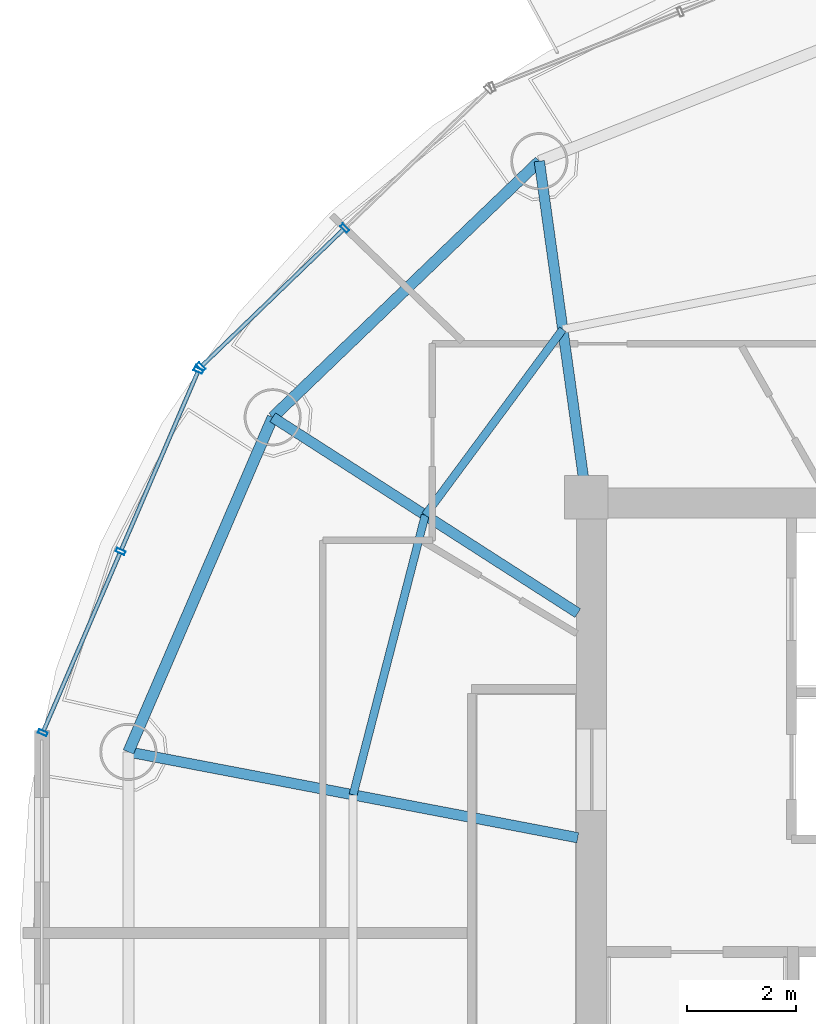
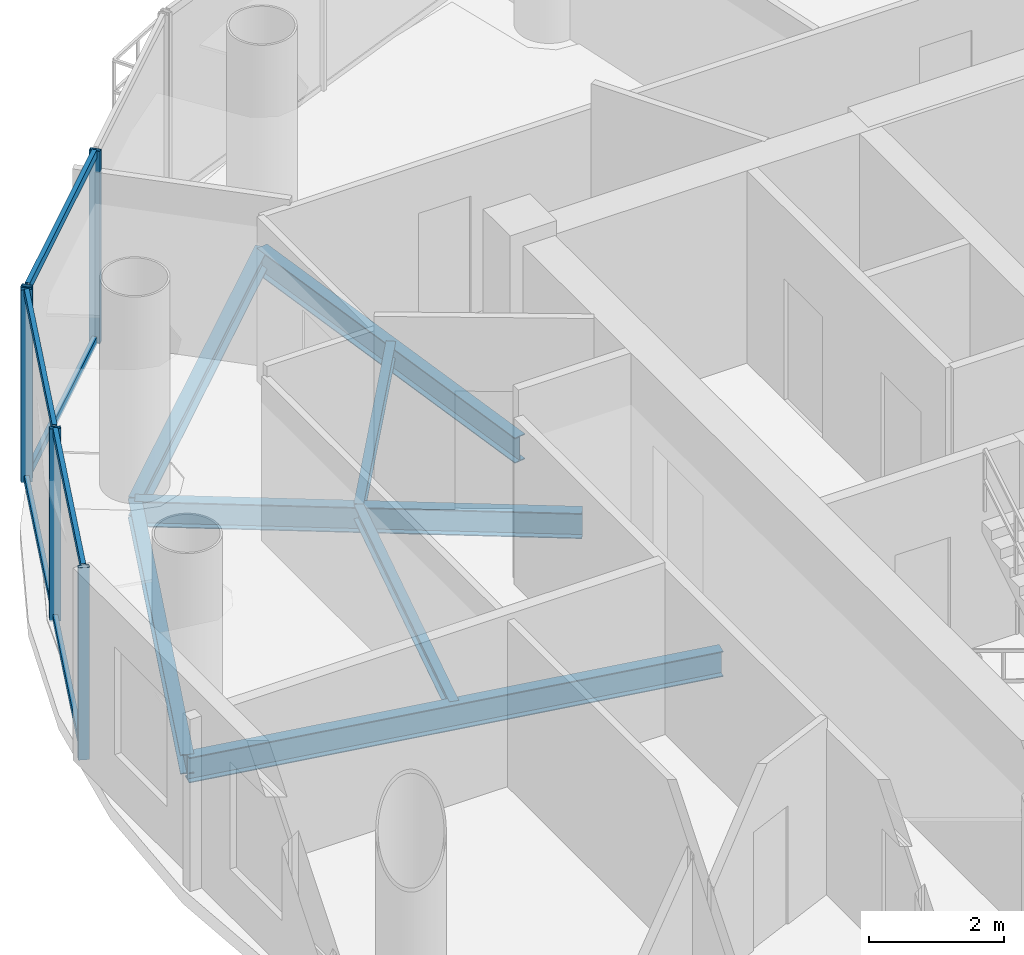
# One storey, part 8 of 23: 11 members, 7 beams, 2 elements without a shape of their own.
"""IFC4 building model written with IfcOpenShell, lengths in metres."""

from ifc_helpers import new_model, si_unit, direction, frame, origin, origin_2d, place, context, subcontext, project, spatial, hollow_rectangle, i_section, extrude, source, transform, mapped, material, material_profile, profile_set, type_object, element, aggregate, save


model = new_model("IFC4")

# Units and contexts
model_context = context("Model", 3, precision=1e-05, world=origin(), true_north=direction((-0.2419218956, 0.970295726276)))
body_context = subcontext(model_context, "Body", "Model", "MODEL_VIEW")
ifc_project = project(units=[si_unit("LENGTHUNIT", "METRE"), si_unit("AREAUNIT", "SQUARE_METRE"), si_unit("VOLUMEUNIT", "CUBIC_METRE"), si_unit("PLANEANGLEUNIT", "RADIAN"), si_unit("MASSUNIT", "GRAM", prefix="KILO")], contexts=[model_context])

# Site, building, storey
site_placement = place(None, origin())
site = spatial("IfcSite", under=ifc_project, at=site_placement, CompositionType="ELEMENT")
building_placement = place(site_placement, origin())
building = spatial("IfcBuilding", under=site, at=building_placement, Name="Cobrevalo Terracotta Tower", CompositionType="ELEMENT")
storey_placement = place(building_placement, frame((0.0, 0.0, 263.199951171875)))
storey = spatial("IfcBuildingStorey", under=building, at=storey_placement, Name="L69", CompositionType="ELEMENT", Elevation=263.199951171875)

# Beams
ifc_material_1 = material(Name="Steel S355", Category="steel")
ifc_material_profile_1 = material_profile(ifc_material_1, i_section(OverallWidth=0.19091796875, OverallDepth=0.4599609375, WebThickness=0.010009765625, FlangeThickness=0.01611328125, at=origin_2d()), Name="W 460x82")
ifc_profile_set_1 = profile_set([ifc_material_profile_1], Name="Steel S355")
beam_type_1 = type_object("IfcBeamType", Name="Structural Beam W 460x82 (Steel S355)", PredefinedType="BEAM", material=ifc_profile_set_1)
beam_1_placement = place(storey_placement, frame((28.138671875, 40.9765625, -0.489990234375), z_axis=(0.138115657759, -0.990416107039, 0.0), x_axis=(0.990416107039, 0.138115657759, 0.0)))
element("IfcBeam", 1, at=beam_1_placement, inside=storey, type_object=beam_type_1, Name="L69 radial floor girder 06", PredefinedType="BEAM", context=body_context, shape_type="SweptSolid", body=[
    extrude(i_section(OverallWidth=0.19091796875, OverallDepth=0.4599609375, WebThickness=0.010009765625, FlangeThickness=0.01611328125, at=origin_2d()), origin(), (0.0, 0.0, 1.0), 6.236328125),
])
beam_2_placement = place(storey_placement, frame((23.241455078125, 36.2724609375, -0.489990234375), z_axis=(0.84157615512, -0.540138477739, 0.0), x_axis=(0.540138477739, 0.84157615512, 0.0)))
element("IfcBeam", 2, at=beam_2_placement, inside=storey, type_object=beam_type_1, Name="L69 radial floor girder 07", PredefinedType="BEAM", context=body_context, shape_type="SweptSolid", body=[
    extrude(i_section(OverallWidth=0.19091796875, OverallDepth=0.4599609375, WebThickness=0.010009765625, FlangeThickness=0.01611328125, at=origin_2d()), origin(), (0.0, 0.0, 1.0), 6.658447265625),
])
beam_3_placement = place(storey_placement, frame((20.591064453125, 30.126220703125, -0.489990234375), z_axis=(0.982234917636, -0.187655446433, 0.0), x_axis=(0.187655446433, 0.982234917636, 0.0)))
element("IfcBeam", 3, at=beam_3_placement, inside=storey, type_object=beam_type_1, Name="L69 radial floor girder 08", PredefinedType="BEAM", context=body_context, shape_type="SweptSolid", body=[
    extrude(i_section(OverallWidth=0.19091796875, OverallDepth=0.4599609375, WebThickness=0.010009765625, FlangeThickness=0.01611328125, at=origin_2d()), origin(), (0.0, 0.0, 1.0), 8.403076171875),
])
ifc_material_profile_2 = material_profile(ifc_material_1, i_section(OverallWidth=0.14794921875, OverallDepth=0.26611328125, WebThickness=0.007568359375, FlangeThickness=0.012939453125, at=origin_2d()), Name="W 250x44.8")
ifc_profile_set_2 = profile_set([ifc_material_profile_2], Name="Steel S355")
beam_type_2 = type_object("IfcBeamType", Name="Structural Joist W 250x44.8 (Steel S355)", PredefinedType="JOIST", material=ifc_profile_set_2)
beam_4_placement = place(storey_placement, frame((28.5693359375, 37.88818359375, -0.39306640625), z_axis=(-0.594799916617, -0.803873783123, 0.0), x_axis=(0.803873783123, -0.594799916617, 0.0)))
element("IfcBeam", 4, at=beam_4_placement, inside=storey, type_object=beam_type_2, Name="L69 circumferential secondary floor joist 06", PredefinedType="JOIST", context=body_context, shape_type="SweptSolid", body=[
    extrude(i_section(OverallWidth=0.14794921875, OverallDepth=0.26611328125, WebThickness=0.007568359375, FlangeThickness=0.012939453125, at=origin_2d()), origin(), (0.0, 0.0, 1.0), 4.2470703125),
])
beam_5_placement = place(storey_placement, frame((26.043212890625, 34.47412109375, -0.39306640625), z_axis=(-0.249816773293, -0.968293126993, 0.0), x_axis=(0.968293126993, -0.249816773293, 0.0)))
element("IfcBeam", 5, at=beam_5_placement, inside=storey, type_object=beam_type_2, Name="L69 circumferential secondary floor joist 07", PredefinedType="JOIST", context=body_context, shape_type="SweptSolid", body=[
    extrude(i_section(OverallWidth=0.14794921875, OverallDepth=0.26611328125, WebThickness=0.007568359375, FlangeThickness=0.012939453125, at=origin_2d()), origin(), (0.0, 0.0, 1.0), 5.3046875),
])
ifc_material_profile_3 = material_profile(ifc_material_1, i_section(OverallWidth=0.205078125, OverallDepth=0.35400390625, WebThickness=0.009521484375, FlangeThickness=0.016845703125, at=origin_2d()), Name="W 360x79")
ifc_profile_set_3 = profile_set([ifc_material_profile_3], Name="Steel S355")
beam_type_3 = type_object("IfcBeamType", Name="Structural Spandrel W 360x79 (Steel S355)", PredefinedType="SPANDREL", material=ifc_profile_set_3)
beam_6_placement = place(storey_placement, frame((28.138671875, 40.9765625, -0.43701171875), z_axis=(-0.721183246144, -0.692744343522, 0.0), x_axis=(0.692744343522, -0.721183246144, 0.0)))
element("IfcBeam", 6, at=beam_6_placement, inside=storey, type_object=beam_type_3, Name="L69 perimeter ring spandrel 06", PredefinedType="SPANDREL", context=body_context, shape_type="SweptSolid", body=[
    extrude(i_section(OverallWidth=0.205078125, OverallDepth=0.35400390625, WebThickness=0.009521484375, FlangeThickness=0.016845703125, at=origin_2d()), origin(), (0.0, 0.0, 1.0), 6.79052734375),
])
beam_7_placement = place(storey_placement, frame((23.241455078125, 36.2724609375, -0.43701171875), z_axis=(-0.395974127655, -0.918261667624, 0.0), x_axis=(0.918261667624, -0.395974127655, 0.0)))
element("IfcBeam", 7, at=beam_7_placement, inside=storey, type_object=beam_type_3, Name="L69 perimeter ring spandrel 07", PredefinedType="SPANDREL", context=body_context, shape_type="SweptSolid", body=[
    extrude(i_section(OverallWidth=0.205078125, OverallDepth=0.35400390625, WebThickness=0.009521484375, FlangeThickness=0.016845703125, at=origin_2d()), origin(), (0.0, 0.0, 1.0), 6.693359375),
])

# Curtain wall, members
ifc_material_2 = material(Name="Anodized aluminium", Category="aluminium")
curtain_wall_type = type_object("IfcCurtainWallType", Name="Upper-tower triple-glazed penthouse curtain wall CW-U3", PredefinedType="NOTDEFINED", material=ifc_material_2)
curtain_wall_1_placement = place(storey_placement, origin())
curtain_wall_1 = element("IfcCurtainWall", 8, at=curtain_wall_1_placement, inside=storey, type_object=curtain_wall_type, Name="L69 curtain wall CW-L69-S06", PredefinedType="NOTDEFINED")
ifc_material_profile_4 = material_profile(ifc_material_2, hollow_rectangle(XDim=0.070068359375, YDim=0.169921875, WallThickness=0.00439453125, at=origin_2d()), Name="CWM 70x170")
ifc_profile_set_4 = profile_set([ifc_material_profile_4], Name="Anodized aluminium")
member_type_1 = type_object("IfcMemberType", Name="Upper tower unitised mullion 70x170", PredefinedType="MULLION", material=ifc_profile_set_4)
shared_shape_1 = source(origin(), body_context, "Body", "SweptSolid", [
    extrude(hollow_rectangle(XDim=0.070068359375, YDim=0.169921875, WallThickness=0.00439453125, at=origin_2d()), origin(), (0.0, 0.0, 1.0), 3.489990234375),
])
member_1_placement = place(storey_placement, frame((24.56640625, 39.748046875, 0.0), z_axis=(0.0, 0.0, 1.0), x_axis=(-0.71999418085, -0.69398010025, 0.0)))
member_1 = element("IfcMember", 9, at=member_1_placement, type_object=member_type_1, Name="CW-L69-S06 vertical mullion 02", PredefinedType="MULLION", context=body_context, shape_type="MappedRepresentation", body=[
    mapped(shared_shape_1, transform((0.0, 0.0, 0.0), scale=1.0)),
])
member_2_placement = place(storey_placement, frame((21.92333984375, 37.2001953125, 0.0), z_axis=(0.0, 0.0, 1.0), x_axis=(-0.71999418085, -0.69398010025, 0.0)))
member_2 = element("IfcMember", 10, at=member_2_placement, type_object=member_type_1, Name="CW-L69-S06 vertical mullion 03", PredefinedType="MULLION", context=body_context, shape_type="MappedRepresentation", body=[
    mapped(shared_shape_1, transform((0.0, 0.0, 0.0), scale=1.0)),
])

curtain_wall_2_placement = place(storey_placement, origin())
curtain_wall_2 = element("IfcCurtainWall", 11, at=curtain_wall_2_placement, inside=storey, type_object=curtain_wall_type, Name="L69 curtain wall CW-L69-S07", PredefinedType="NOTDEFINED")
member_3_placement = place(storey_placement, frame((21.878662109375, 37.1357421875, 0.0), z_axis=(0.0, 0.0, 1.0), x_axis=(-0.39482403454, -0.91875675875, 0.0)))
member_3 = element("IfcMember", 12, at=member_3_placement, type_object=member_type_1, Name="CW-L69-S07 vertical mullion 01", PredefinedType="MULLION", context=body_context, shape_type="MappedRepresentation", body=[
    mapped(shared_shape_1, transform((0.0, 0.0, 0.0), scale=1.0)),
])
member_4_placement = place(storey_placement, frame((20.4482421875, 33.807373046875, 0.0), z_axis=(0.0, 0.0, 1.0), x_axis=(-0.39482403454, -0.91875675875, 0.0)))
member_4 = element("IfcMember", 13, at=member_4_placement, type_object=member_type_1, Name="CW-L69-S07 vertical mullion 02", PredefinedType="MULLION", context=body_context, shape_type="MappedRepresentation", body=[
    mapped(shared_shape_1, transform((0.0, 0.0, 0.0), scale=1.0)),
])
member_5_placement = place(storey_placement, frame((19.01806640625, 30.47900390625, 0.0), z_axis=(0.0, 0.0, 1.0), x_axis=(-0.39482403454, -0.91875675875, 0.0)))
member_5 = element("IfcMember", 14, at=member_5_placement, type_object=member_type_1, Name="CW-L69-S07 vertical mullion 03", PredefinedType="MULLION", context=body_context, shape_type="MappedRepresentation", body=[
    mapped(shared_shape_1, transform((0.0, 0.0, 0.0), scale=1.0)),
])

# Member
ifc_material_profile_5 = material_profile(ifc_material_2, hollow_rectangle(XDim=0.074951171875, YDim=0.14990234375, WallThickness=0.00439453125, at=origin_2d()), Name="CWT 75x150")
ifc_profile_set_5 = profile_set([ifc_material_profile_5], Name="Anodized aluminium")
member_type_2 = type_object("IfcMemberType", Name="Tower unitised aluminium transom 75x150", PredefinedType="USERDEFINED", material=ifc_profile_set_5)
shared_shape_2 = source(origin(), body_context, "Body", "SweptSolid", [
    extrude(hollow_rectangle(XDim=0.074951171875, YDim=0.14990234375, WallThickness=0.00439453125, at=origin_2d()), origin(), (0.0, 0.0, 1.0), 3.59130859375),
])
member_6_placement = place(storey_placement, frame((24.537841796875, 39.72021484375, 0.050048828125), z_axis=(-0.720005628362, -0.693968223427, 0.0), x_axis=(0.693968223427, -0.720005628362, 0.0)))
member_6 = element("IfcMember", 15, at=member_6_placement, type_object=member_type_2, Name="CW-L69-S06 transom B02-T1", ObjectType="TRANSOM", PredefinedType="USERDEFINED", context=body_context, shape_type="MappedRepresentation", body=[
    mapped(shared_shape_2, transform((0.0, 0.0, 0.0), scale=1.0)),
])

member_7_placement = place(storey_placement, frame((24.537841796875, 39.72021484375, 3.43994140625), z_axis=(-0.720005628362, -0.693968223427, 0.0), x_axis=(0.693968223427, -0.720005628362, 0.0)))
member_7 = element("IfcMember", 16, at=member_7_placement, type_object=member_type_2, Name="CW-L69-S06 transom B02-T2", ObjectType="TRANSOM", PredefinedType="USERDEFINED", context=body_context, shape_type="MappedRepresentation", body=[
    mapped(shared_shape_2, transform((0.0, 0.0, 0.0), scale=1.0)),
])

aggregate(curtain_wall_1, [member_1, member_2, member_6, member_7])

shared_shape_3 = source(origin(), body_context, "Body", "SweptSolid", [
    extrude(hollow_rectangle(XDim=0.074951171875, YDim=0.14990234375, WallThickness=0.00439453125, at=origin_2d()), origin(), (0.0, 0.0, 1.0), 3.54248046875),
])
member_8_placement = place(storey_placement, frame((21.86279296875, 37.098876953125, 0.050048828125), z_axis=(-0.394834055841, -0.918752452159, 0.0), x_axis=(0.918752452159, -0.394834055841, 0.0)))
member_8 = element("IfcMember", 17, at=member_8_placement, type_object=member_type_2, Name="CW-L69-S07 transom B01-T1", ObjectType="TRANSOM", PredefinedType="USERDEFINED", context=body_context, shape_type="MappedRepresentation", body=[
    mapped(shared_shape_3, transform((0.0, 0.0, 0.0), scale=1.0)),
])

member_9_placement = place(storey_placement, frame((21.86279296875, 37.098876953125, 3.43994140625), z_axis=(-0.394834055841, -0.918752452159, 0.0), x_axis=(0.918752452159, -0.394834055841, 0.0)))
member_9 = element("IfcMember", 18, at=member_9_placement, type_object=member_type_2, Name="CW-L69-S07 transom B01-T2", ObjectType="TRANSOM", PredefinedType="USERDEFINED", context=body_context, shape_type="MappedRepresentation", body=[
    mapped(shared_shape_3, transform((0.0, 0.0, 0.0), scale=1.0)),
])

shared_shape_4 = source(origin(), body_context, "Body", "SweptSolid", [
    extrude(hollow_rectangle(XDim=0.074951171875, YDim=0.14990234375, WallThickness=0.00439453125, at=origin_2d()), origin(), (0.0, 0.0, 1.0), 3.542724609375),
])
member_10_placement = place(storey_placement, frame((20.4326171875, 33.770751953125, 0.050048828125), z_axis=(-0.394867226589, -0.918738196314, 0.0), x_axis=(0.918738196314, -0.394867226589, 0.0)))
member_10 = element("IfcMember", 19, at=member_10_placement, type_object=member_type_2, Name="CW-L69-S07 transom B02-T1", ObjectType="TRANSOM", PredefinedType="USERDEFINED", context=body_context, shape_type="MappedRepresentation", body=[
    mapped(shared_shape_4, transform((0.0, 0.0, 0.0), scale=1.0)),
])

member_11_placement = place(storey_placement, frame((20.4326171875, 33.770751953125, 3.43994140625), z_axis=(-0.394867226589, -0.918738196314, 0.0), x_axis=(0.918738196314, -0.394867226589, 0.0)))
member_11 = element("IfcMember", 20, at=member_11_placement, type_object=member_type_2, Name="CW-L69-S07 transom B02-T2", ObjectType="TRANSOM", PredefinedType="USERDEFINED", context=body_context, shape_type="MappedRepresentation", body=[
    mapped(shared_shape_4, transform((0.0, 0.0, 0.0), scale=1.0)),
])

aggregate(curtain_wall_2, [member_3, member_4, member_5, member_8, member_9, member_10, member_11])

save(model, "model.ifc")
